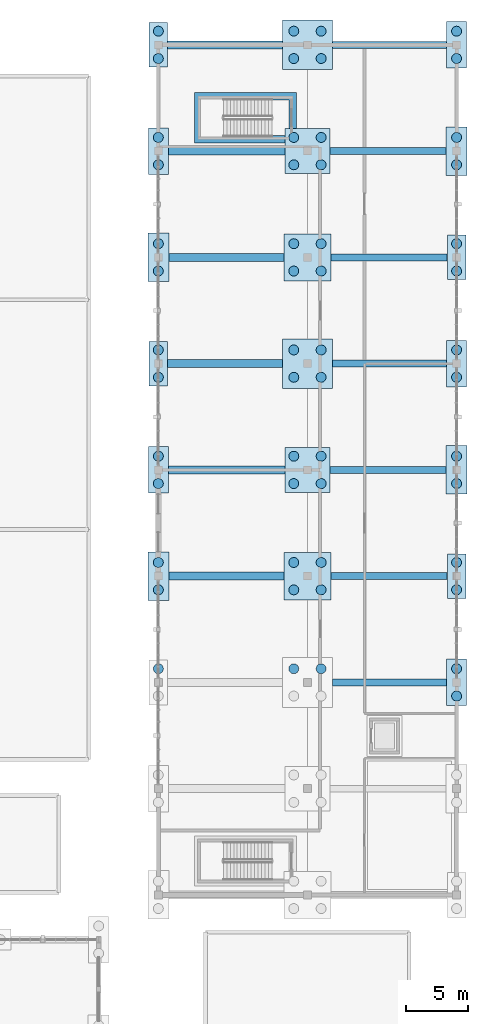
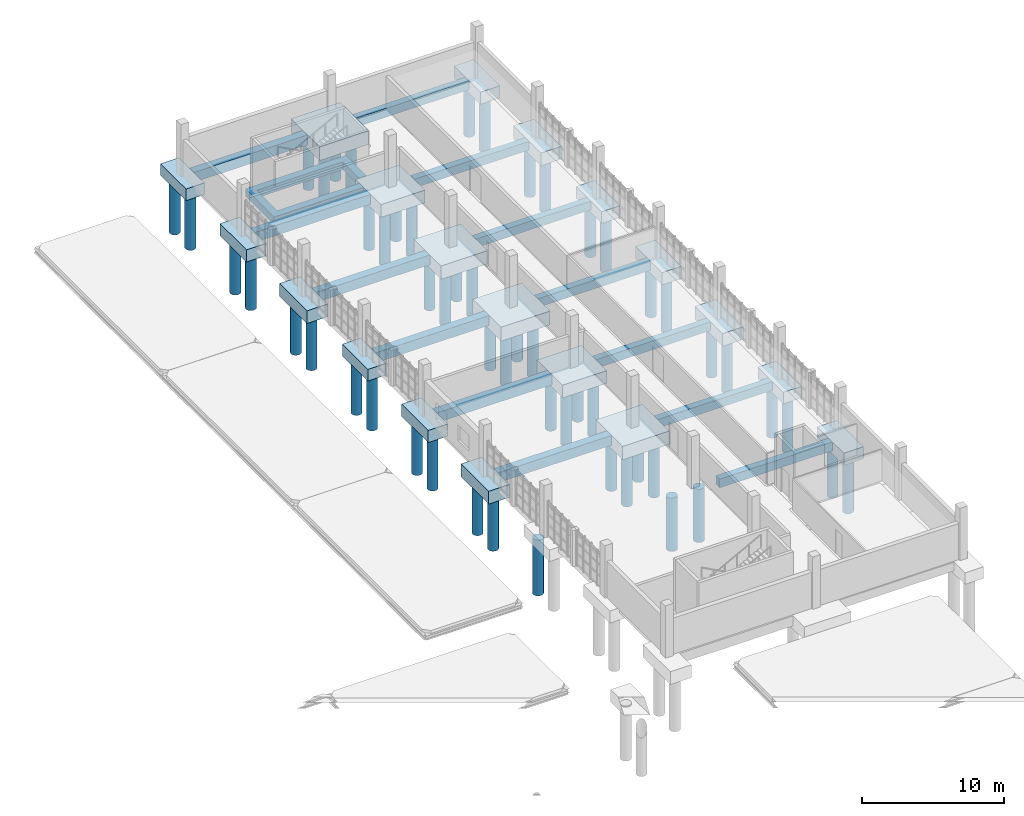
# One storey, part 2 of 125: 53 piles, 33 footings.
"""IFC4 building model written with IfcOpenShell, lengths in metres."""

import ifcopenshell
import ifcopenshell.guid

model = None  # the IFC model being written
_history = None  # IfcOwnerHistory: only IFC2X3 demands one
_inside = {}  # id of a spatial element -> (the spatial element, [elements in it])
_under = {}  # id of a project, library or spatial element -> (it, [spatial elements below it])
_declared = {}  # id of a project -> (the project, [libraries it declares])
_typed = {}  # id of a type object -> (the type object, [elements of that type])
_made_of = {}  # id of a material, layer set ... -> (it, [elements and type objects made of it])


def new_model(schema):
    """Start an empty IFC model of exactly this schema.

    Asked for "IFC4X3", IfcOpenShell would pick the latest addendum, in which some entities
    have other attributes; the version numbers below select the first issue.
    IFC2X3 requires an IfcOwnerHistory on every rooted entity: one is made here for all.
    """
    global model, _history
    if schema == "IFC4X3":
        model = ifcopenshell.file(schema_version=(4, 3, 0, 0))
    else:
        model = ifcopenshell.file(schema=schema)
    _inside.clear()
    _under.clear()
    _declared.clear()
    _typed.clear()
    _made_of.clear()
    _history = None
    if model.schema == "IFC2X3":
        org = make("IfcOrganization", Name="unknown")
        user = make(
            "IfcPersonAndOrganization",
            ThePerson=make("IfcPerson", FamilyName="unknown"),
            TheOrganization=org,
        )
        app = make(
            "IfcApplication",
            ApplicationDeveloper=org,
            Version="unknown",
            ApplicationFullName="unknown",
            ApplicationIdentifier="unknown",
        )
        _history = make(
            "IfcOwnerHistory",
            OwningUser=user,
            OwningApplication=app,
            ChangeAction="ADDED",
            CreationDate=0,
        )
    return model


def make(cls, **values):
    """One entity of the class cls with the attributes given. An attribute that is None is left unset."""
    return model.create_entity(
        cls, **{name: value for name, value in values.items() if value is not None}
    )


def rooted(cls, **values):
    """An entity with a GlobalId (a new one), such as an element, a storey or a relation."""
    return make(cls, GlobalId=ifcopenshell.guid.new(), OwnerHistory=_history, **values)


def si_unit(unit_type, name, prefix=None):
    """IfcSIUnit, for example si_unit("LENGTHUNIT", "METRE", prefix="MILLI")."""
    return make("IfcSIUnit", UnitType=unit_type, Prefix=prefix, Name=name)


def assignment(units):
    """IfcUnitAssignment: the units of a project."""
    return None if units is None else make("IfcUnitAssignment", Units=units)


def point(xyz):
    """IfcCartesianPoint."""
    return None if xyz is None else make("IfcCartesianPoint", Coordinates=xyz)


def direction(xyz):
    """IfcDirection."""
    return None if xyz is None else make("IfcDirection", DirectionRatios=xyz)


def frame(location, z_axis=None, x_axis=None):
    """IfcAxis2Placement3D, a coordinate frame: its origin and axes. An axis left out is left unset."""
    return make(
        "IfcAxis2Placement3D",
        Location=point(location),
        Axis=direction(z_axis),
        RefDirection=direction(x_axis),
    )


def frame_2d(location, x_axis=None):
    """IfcAxis2Placement2D, a coordinate frame in the plane: its origin and x axis."""
    return make(
        "IfcAxis2Placement2D", Location=point(location), RefDirection=direction(x_axis)
    )


def origin():
    """The frame at (0, 0, 0) with its axes left unset."""
    return frame((0.0, 0.0, 0.0))


def origin_2d():
    """The frame at (0, 0) in the plane with its x axis left unset."""
    return frame_2d((0.0, 0.0))


def place(relative_to, where):
    """IfcLocalPlacement: puts the frame where relative to a parent placement (None: the world)."""
    return make(
        "IfcLocalPlacement", PlacementRelTo=relative_to, RelativePlacement=where
    )


def context(
    kind, dimensions, precision=None, world=None, true_north=None, identifier=None
):
    """IfcGeometricRepresentationContext, for example the 3D "Model" context."""
    return make(
        "IfcGeometricRepresentationContext",
        ContextIdentifier=identifier,
        ContextType=kind,
        CoordinateSpaceDimension=dimensions,
        Precision=precision,
        WorldCoordinateSystem=world,
        TrueNorth=true_north,
    )


def subcontext(parent, identifier, kind, view, scale=None):
    """IfcGeometricRepresentationSubContext, for example "Body" below "Model"."""
    return make(
        "IfcGeometricRepresentationSubContext",
        ContextIdentifier=identifier,
        ContextType=kind,
        ParentContext=parent,
        TargetScale=scale,
        TargetView=view,
    )


def project(units=None, contexts=None):
    """IfcProject with its units and contexts."""
    return rooted(
        "IfcProject",
        Name="project",
        RepresentationContexts=contexts,
        UnitsInContext=assignment(units),
    )


def spatial(cls, under=None, at=None, **own):
    """A site, building, storey or space (cls), placed at a placement, below another one or the project."""
    s = rooted(cls, ObjectPlacement=at, **own)
    if under is not None:
        _under.setdefault(under.id(), (under, []))[1].append(s)
    return s


def polyline(points):
    """IfcPolyline through the points."""
    return make("IfcPolyline", Points=[point(p) for p in points])


def profile(cls, at=None, kind="AREA", **sizes):
    """A parametric profile (cls). Its sizes go by their IFC names, for example OverallWidth=200.0."""
    return make(cls, ProfileType=kind, Position=at, **sizes)


def rectangle(**sizes):
    """IfcRectangleProfileDef."""
    return profile("IfcRectangleProfileDef", **sizes)


def circle(**sizes):
    """IfcCircleProfileDef."""
    return profile("IfcCircleProfileDef", **sizes)


def outline(outer, holes=None, kind="AREA"):
    """IfcArbitraryClosedProfileDef: a profile drawn as a closed curve; with holes, ...WithVoids."""
    if holes is None:
        return make("IfcArbitraryClosedProfileDef", ProfileType=kind, OuterCurve=outer)
    return make(
        "IfcArbitraryProfileDefWithVoids",
        ProfileType=kind,
        OuterCurve=outer,
        InnerCurves=holes,
    )


def extrude(swept, where, along, depth):
    """IfcExtrudedAreaSolid: the profile swept, set in the frame where, extruded along a direction by depth."""
    return make(
        "IfcExtrudedAreaSolid",
        SweptArea=swept,
        Position=where,
        ExtrudedDirection=direction(along),
        Depth=depth,
    )


def shape(context_of_items, identifier, shape_type, items):
    """IfcShapeRepresentation: the items that make up one representation, for example the "Body"."""
    return make(
        "IfcShapeRepresentation",
        ContextOfItems=context_of_items,
        RepresentationIdentifier=identifier,
        RepresentationType=shape_type,
        Items=items,
    )


def material(Name=None, Category=None):
    """IfcMaterial."""
    return make("IfcMaterial", Name=Name, Category=Category)


def material_profile(
    of_material, cross_section, Name=None, Category=None, Priority=None
):
    """IfcMaterialProfile: a cross section and its material."""
    return make(
        "IfcMaterialProfile",
        Name=Name,
        Material=of_material,
        Profile=cross_section,
        Priority=Priority,
        Category=Category,
    )


def profile_set(profiles, Name=None, composite=None):
    """IfcMaterialProfileSet."""
    return make(
        "IfcMaterialProfileSet",
        Name=Name,
        MaterialProfiles=profiles,
        CompositeProfile=composite,
    )


def made_of(thing, what):
    """Note that an element or type object is made of a material, layer set ...; save() writes the relation."""
    if what is not None:
        _made_of.setdefault(what.id(), (what, []))[1].append(thing)
    return thing


def type_object(cls, material=None, **own):
    """A type object (cls), such as IfcWallType, which elements share."""
    return made_of(rooted(cls, **own), material)


def element(
    cls,
    number,
    at=None,
    inside=None,
    cuts=None,
    type_object=None,
    material=None,
    context=None,
    identifier="Body",
    shape_type=None,
    held_by="IfcProductDefinitionShape",
    body=None,
    shapes=None,
    **own,
):
    """One element of the class cls, such as IfcWall. Its Tag is "e" and its number.

    at: its placement. inside: the storey or other place that contains it. cuts: it is an
    opening in that element (IfcRelVoidsElement). A single representation is given by context,
    identifier, shape_type and body (its items); several are given by shapes. held_by: the class
    of the entity that holds the representations. save() writes the other relations.
    """
    e = rooted(cls, Tag="e%d" % number, ObjectPlacement=at, **own)
    if body is not None:
        shapes = [shape(context, identifier, shape_type, body)]
    if shapes is not None:
        e.Representation = make(held_by, Representations=shapes)
    if inside is not None:
        _inside.setdefault(inside.id(), (inside, []))[1].append(e)
    if cuts is not None:
        rooted(
            "IfcRelVoidsElement", RelatingBuildingElement=cuts, RelatedOpeningElement=e
        )
    if type_object is not None:
        _typed.setdefault(type_object.id(), (type_object, []))[1].append(e)
    return made_of(e, material)


def aggregate(whole, parts):
    """IfcRelAggregates: a whole, such as a stair, and the parts it consists of."""
    return rooted("IfcRelAggregates", RelatingObject=whole, RelatedObjects=parts)


def save(model, path):
    """Write the relations noted so far, then the file.

    IfcRelAggregates (storeys below a building ...), IfcRelContainedInSpatialStructure (elements
    in a storey), IfcRelDefinesByType, IfcRelAssociatesMaterial and IfcRelDeclares: one each for
    every whole, place, type object, material and project.
    """
    for whole, parts in _under.values():
        aggregate(whole, parts)
    for where, things in _inside.values():
        rooted(
            "IfcRelContainedInSpatialStructure",
            RelatedElements=things,
            RelatingStructure=where,
        )
    for kind, things in _typed.values():
        rooted("IfcRelDefinesByType", RelatedObjects=things, RelatingType=kind)
    for what, things in _made_of.values():
        rooted("IfcRelAssociatesMaterial", RelatedObjects=things, RelatingMaterial=what)
    for by, libraries in _declared.values():
        rooted("IfcRelDeclares", RelatingContext=by, RelatedDefinitions=libraries)
    model.write(path)


model = new_model("IFC4")

# Units and contexts
model_context = context("Model", 3, precision=1e-05, world=origin(), true_north=direction((0.0, 1.0)))
body_context = subcontext(model_context, "Body", "Model", "MODEL_VIEW")
ifc_project = project(units=[si_unit("LENGTHUNIT", "METRE"), si_unit("AREAUNIT", "SQUARE_METRE"), si_unit("VOLUMEUNIT", "CUBIC_METRE"), si_unit("PLANEANGLEUNIT", "RADIAN"), si_unit("MASSUNIT", "GRAM", prefix="KILO")], contexts=[model_context])

# Site, building, storey
site_placement = place(None, origin())
site = spatial("IfcSite", under=ifc_project, at=site_placement, CompositionType="ELEMENT")
building_placement = place(site_placement, origin())
building = spatial("IfcBuilding", under=site, at=building_placement, Name="Serraforn Aerial Cableway Station", CompositionType="ELEMENT")
storey_placement = place(building_placement, frame((0.0, 0.0, 4.5)))
storey = spatial("IfcBuildingStorey", under=building, at=storey_placement, Name="L01", CompositionType="ELEMENT", Elevation=4.5)

# Footings
ifc_material = material(Name="Concrete C35/45", Category="concrete")
footing_type_1 = type_object("IfcFootingType", Name="FT-FB-550x750", PredefinedType="FOOTING_BEAM", material=ifc_material)
footing_1_placement = place(storey_placement, frame((0.0, 0.0, -0.75)))
element("IfcFooting", 1, at=footing_1_placement, inside=storey, type_object=footing_type_1, Name="Footing Tie Beam EG Y=62.7 #2", PredefinedType="FOOTING_BEAM", context=body_context, shape_type="SweptSolid", body=[
    extrude(outline(polyline([(167.195068359375, 62.97509765625), (167.195068359375, 62.425048828125), (158.0048828125, 62.425048828125), (158.0048828125, 62.97509765625), (167.195068359375, 62.97509765625)])), origin(), (0.0, 0.0, 1.0), 0.75),
])
footing_2_placement = place(storey_placement, frame((0.0, 0.0, -0.75)))
element("IfcFooting", 2, at=footing_2_placement, inside=storey, type_object=footing_type_1, Name="Footing Tie Beam EG Y=71.2 #2", PredefinedType="FOOTING_BEAM", context=body_context, shape_type="SweptSolid", body=[
    extrude(outline(polyline([(167.2451171875, 71.52490234375), (167.2451171875, 70.97509765625), (157.905029296875, 70.97509765625), (157.905029296875, 71.52490234375), (167.2451171875, 71.52490234375)])), origin(), (0.0, 0.0, 1.0), 0.75),
])
footing_3_placement = place(storey_placement, frame((0.0, 0.0, -0.75)))
element("IfcFooting", 3, at=footing_3_placement, inside=storey, type_object=footing_type_1, Name="Footing Tie Beam EG Y=79.8 #2", PredefinedType="FOOTING_BEAM", context=body_context, shape_type="SweptSolid", body=[
    extrude(outline(polyline([(167.14501953125, 80.074951171875), (167.14501953125, 79.52490234375), (157.804931640625, 79.52490234375), (157.804931640625, 80.074951171875), (167.14501953125, 80.074951171875)])), origin(), (0.0, 0.0, 1.0), 0.75),
])
footing_4_placement = place(storey_placement, frame((0.0, 0.0, -0.75)))
element("IfcFooting", 4, at=footing_4_placement, inside=storey, type_object=footing_type_1, Name="Footing Tie Beam EG Y=88.3 #2", PredefinedType="FOOTING_BEAM", context=body_context, shape_type="SweptSolid", body=[
    extrude(outline(polyline([(167.195068359375, 88.625), (167.195068359375, 88.074951171875), (158.0048828125, 88.074951171875), (158.0048828125, 88.625), (167.195068359375, 88.625)])), origin(), (0.0, 0.0, 1.0), 0.75),
])
footing_5_placement = place(storey_placement, frame((0.0, 0.0, -0.75)))
element("IfcFooting", 5, at=footing_5_placement, inside=storey, type_object=footing_type_1, Name="Footing Tie Beam EG Y=96.9 #2", PredefinedType="FOOTING_BEAM", context=body_context, shape_type="SweptSolid", body=[
    extrude(outline(polyline([(167.2451171875, 97.175048828125), (167.2451171875, 96.625), (157.905029296875, 96.625), (157.905029296875, 97.175048828125), (167.2451171875, 97.175048828125)])), origin(), (0.0, 0.0, 1.0), 0.75),
])
footing_6_placement = place(storey_placement, frame((0.0, 0.0, -0.75)))
element("IfcFooting", 6, at=footing_6_placement, inside=storey, type_object=footing_type_1, Name="Footing Tie Beam EG Y=105.5 #2", PredefinedType="FOOTING_BEAM", context=body_context, shape_type="SweptSolid", body=[
    extrude(outline(polyline([(167.14501953125, 105.72509765625), (167.14501953125, 105.175048828125), (157.804931640625, 105.175048828125), (157.804931640625, 105.72509765625), (167.14501953125, 105.72509765625)])), origin(), (0.0, 0.0, 1.0), 0.75),
])
footing_7_placement = place(storey_placement, frame((0.0, 0.0, -0.75)))
element("IfcFooting", 7, at=footing_7_placement, inside=storey, type_object=footing_type_1, Name="Footing Tie Beam EG Y=114.0 #2", PredefinedType="FOOTING_BEAM", context=body_context, shape_type="SweptSolid", body=[
    extrude(outline(polyline([(167.195068359375, 114.27490234375), (167.195068359375, 113.72509765625), (158.0048828125, 113.72509765625), (158.0048828125, 114.27490234375), (167.195068359375, 114.27490234375)])), origin(), (0.0, 0.0, 1.0), 0.75),
])
footing_type_2 = type_object("IfcFootingType", Name="FT-FB-650x850", PredefinedType="FOOTING_BEAM", material=ifc_material)
footing_8_placement = place(storey_placement, frame((0.0, 0.0, -0.85009765625)))
element("IfcFooting", 8, at=footing_8_placement, inside=storey, type_object=footing_type_2, Name="Footing Tie Beam EG Y=71.2 #1", PredefinedType="FOOTING_BEAM", context=body_context, shape_type="SweptSolid", body=[
    extrude(outline(polyline([(154.094970703125, 71.574951171875), (154.094970703125, 70.925048828125), (144.85498046875, 70.925048828125), (144.85498046875, 71.574951171875), (154.094970703125, 71.574951171875)])), origin(), (0.0, 0.0, 1.0), 0.85009765625),
])
footing_9_placement = place(storey_placement, frame((0.0, 0.0, -0.85009765625)))
element("IfcFooting", 9, at=footing_9_placement, inside=storey, type_object=footing_type_2, Name="Footing Tie Beam EG Y=79.8 #1", PredefinedType="FOOTING_BEAM", context=body_context, shape_type="SweptSolid", body=[
    extrude(outline(polyline([(154.195068359375, 80.125), (154.195068359375, 79.47509765625), (144.804931640625, 79.47509765625), (144.804931640625, 80.125), (154.195068359375, 80.125)])), origin(), (0.0, 0.0, 1.0), 0.85009765625),
])
footing_10_placement = place(storey_placement, frame((0.0, 0.0, -0.85009765625)))
element("IfcFooting", 10, at=footing_10_placement, inside=storey, type_object=footing_type_2, Name="Footing Tie Beam EG Y=88.3 #1", PredefinedType="FOOTING_BEAM", context=body_context, shape_type="SweptSolid", body=[
    extrude(outline(polyline([(153.9951171875, 88.675048828125), (153.9951171875, 88.02490234375), (144.7548828125, 88.02490234375), (144.7548828125, 88.675048828125), (153.9951171875, 88.675048828125)])), origin(), (0.0, 0.0, 1.0), 0.85009765625),
])
footing_11_placement = place(storey_placement, frame((0.0, 0.0, -0.85009765625)))
element("IfcFooting", 11, at=footing_11_placement, inside=storey, type_object=footing_type_2, Name="Footing Tie Beam EG Y=96.9 #1", PredefinedType="FOOTING_BEAM", context=body_context, shape_type="SweptSolid", body=[
    extrude(outline(polyline([(154.094970703125, 97.22509765625), (154.094970703125, 96.574951171875), (144.85498046875, 96.574951171875), (144.85498046875, 97.22509765625), (154.094970703125, 97.22509765625)])), origin(), (0.0, 0.0, 1.0), 0.85009765625),
])
footing_12_placement = place(storey_placement, frame((0.0, 0.0, -0.85009765625)))
element("IfcFooting", 12, at=footing_12_placement, inside=storey, type_object=footing_type_2, Name="Footing Tie Beam EG Y=105.5 #1", PredefinedType="FOOTING_BEAM", context=body_context, shape_type="SweptSolid", body=[
    extrude(outline(polyline([(154.195068359375, 105.77490234375), (154.195068359375, 105.125), (144.804931640625, 105.125), (144.804931640625, 105.77490234375), (154.195068359375, 105.77490234375)])), origin(), (0.0, 0.0, 1.0), 0.85009765625),
])
footing_13_placement = place(storey_placement, frame((0.0, 0.0, -0.85009765625)))
element("IfcFooting", 13, at=footing_13_placement, inside=storey, type_object=footing_type_2, Name="Footing Tie Beam EG Y=114.0 #1", PredefinedType="FOOTING_BEAM", context=body_context, shape_type="SweptSolid", body=[
    extrude(outline(polyline([(153.9951171875, 114.324951171875), (153.9951171875, 113.675048828125), (144.7548828125, 113.675048828125), (144.7548828125, 114.324951171875), (153.9951171875, 114.324951171875)])), origin(), (0.0, 0.0, 1.0), 0.85009765625),
])
footing_type_3 = type_object("IfcFootingType", Name="FT-PC2-150x360", PredefinedType="PILE_CAP", material=ifc_material)
for number, where, z_axis, x_axis, name in (
    (14, (144.0, 88.35009765625, -1.0), (0.0, 0.0, 1.0), (1.0, 0.0, 0.0), "Pile Cap EG-19-L"),
    (15, (144.0, 114.0, -1.0), (0.0, 0.0, 1.0), (1.0, 0.0, 0.0), "Pile Cap EG-19-P"),
    (16, (168.0, 71.25, -1.0), (0.0, 0.0, 1.0), (1.0, 0.0, 0.0), "Pile Cap EG-22-J"),
    (17, (168.0, 96.89990234375, -1.0), (0.0, 0.0, 1.0), (1.0, 0.0, 0.0), "Pile Cap EG-22-M"),
):
    element("IfcFooting", number, at=place(storey_placement, frame(where, z_axis=z_axis, x_axis=x_axis)), inside=storey, type_object=footing_type_3, Name=name, PredefinedType="PILE_CAP", context=body_context, shape_type="SweptSolid", body=[
        extrude(rectangle(XDim=1.5, YDim=3.60009765625, at=origin_2d()), origin(), (0.0, 0.0, 1.0), 1.0),
    ])
footing_type_4 = type_object("IfcFootingType", Name="FT-PC2-160x375", PredefinedType="PILE_CAP", material=ifc_material)
for number, where, z_axis, x_axis, name in (
    (18, (144.0, 79.800048828125, -1.0498046875), (0.0, 0.0, 1.0), (1.0, 0.0, 0.0), "Pile Cap EG-19-K"),
    (19, (144.0, 105.449951171875, -1.0498046875), (0.0, 0.0, 1.0), (1.0, 0.0, 0.0), "Pile Cap EG-19-N"),
    (20, (168.0, 62.699951171875, -1.0498046875), (0.0, 0.0, 1.0), (1.0, 0.0, 0.0), "Pile Cap EG-22-H"),
    (21, (168.0, 88.35009765625, -1.0498046875), (0.0, 0.0, 1.0), (1.0, 0.0, 0.0), "Pile Cap EG-22-L"),
    (22, (168.0, 114.0, -1.0498046875), (0.0, 0.0, 1.0), (1.0, 0.0, 0.0), "Pile Cap EG-22-P"),
):
    element("IfcFooting", number, at=place(storey_placement, frame(where, z_axis=z_axis, x_axis=x_axis)), inside=storey, type_object=footing_type_4, Name=name, PredefinedType="PILE_CAP", context=body_context, shape_type="SweptSolid", body=[
        extrude(rectangle(XDim=1.60009765625, YDim=3.75, at=origin_2d()), origin(), (0.0, 0.0, 1.0), 1.050048828125),
    ])
footing_type_5 = type_object("IfcFootingType", Name="FT-PC2-170x390", PredefinedType="PILE_CAP", material=ifc_material)
for number, where, z_axis, x_axis, name in (
    (23, (144.0, 71.25, -1.10009765625), (0.0, 0.0, 1.0), (1.0, 0.0, 0.0), "Pile Cap EG-19-J"),
    (24, (144.0, 96.89990234375, -1.10009765625), (0.0, 0.0, 1.0), (1.0, 0.0, 0.0), "Pile Cap EG-19-M"),
    (25, (168.0, 79.800048828125, -1.10009765625), (0.0, 0.0, 1.0), (1.0, 0.0, 0.0), "Pile Cap EG-22-K"),
    (26, (168.0, 105.449951171875, -1.10009765625), (0.0, 0.0, 1.0), (1.0, 0.0, 0.0), "Pile Cap EG-22-N"),
):
    element("IfcFooting", number, at=place(storey_placement, frame(where, z_axis=z_axis, x_axis=x_axis)), inside=storey, type_object=footing_type_5, Name=name, PredefinedType="PILE_CAP", context=body_context, shape_type="SweptSolid", body=[
        extrude(rectangle(XDim=1.699951171875, YDim=3.89990234375, at=origin_2d()), origin(), (0.0, 0.0, 1.0), 1.10009765625),
    ])
footing_type_6 = type_object("IfcFootingType", Name="FT-PC4-360", PredefinedType="PILE_CAP", material=ifc_material)
for number, where, z_axis, x_axis, name in (
    (27, (156.0, 79.800048828125, -1.10009765625), (0.0, 0.0, 1.0), (1.0, 0.0, 0.0), "Pile Cap EG-20B-K"),
    (28, (156.0, 105.449951171875, -1.10009765625), (0.0, 0.0, 1.0), (1.0, 0.0, 0.0), "Pile Cap EG-20B-N"),
):
    element("IfcFooting", number, at=place(storey_placement, frame(where, z_axis=z_axis, x_axis=x_axis)), inside=storey, type_object=footing_type_6, Name=name, PredefinedType="PILE_CAP", context=body_context, shape_type="SweptSolid", body=[
        extrude(rectangle(XDim=3.60009765625, YDim=3.60009765625, at=origin_2d()), origin(), (0.0, 0.0, 1.0), 1.10009765625),
    ])
footing_type_7 = type_object("IfcFootingType", Name="FT-PC4-380", PredefinedType="PILE_CAP", material=ifc_material)
for number, where, z_axis, x_axis, name in (
    (29, (156.0, 71.25, -1.14990234375), (0.0, 0.0, 1.0), (1.0, 0.0, 0.0), "Pile Cap EG-20B-J"),
    (30, (156.0, 96.89990234375, -1.14990234375), (0.0, 0.0, 1.0), (1.0, 0.0, 0.0), "Pile Cap EG-20B-M"),
):
    element("IfcFooting", number, at=place(storey_placement, frame(where, z_axis=z_axis, x_axis=x_axis)), inside=storey, type_object=footing_type_7, Name=name, PredefinedType="PILE_CAP", context=body_context, shape_type="SweptSolid", body=[
        extrude(rectangle(XDim=3.800048828125, YDim=3.800048828125, at=origin_2d()), origin(), (0.0, 0.0, 1.0), 1.14990234375),
    ])
footing_type_8 = type_object("IfcFootingType", Name="FT-PC4-400", PredefinedType="PILE_CAP", material=ifc_material)
for number, where, z_axis, x_axis, name in (
    (31, (156.0, 88.35009765625, -1.2001953125), (0.0, 0.0, 1.0), (1.0, 0.0, 0.0), "Pile Cap EG-20B-L"),
    (32, (156.0, 114.0, -1.2001953125), (0.0, 0.0, 1.0), (1.0, 0.0, 0.0), "Pile Cap EG-20B-P"),
):
    element("IfcFooting", number, at=place(storey_placement, frame(where, z_axis=z_axis, x_axis=x_axis)), inside=storey, type_object=footing_type_8, Name=name, PredefinedType="PILE_CAP", context=body_context, shape_type="SweptSolid", body=[
        extrude(rectangle(XDim=4.0, YDim=4.0, at=origin_2d()), origin(), (0.0, 0.0, 1.0), 1.199951171875),
    ])
footing_type_9 = type_object("IfcFootingType", Name="FT-SF-900x650", PredefinedType="STRIP_FOOTING", material=ifc_material)
footing_14_placement = place(storey_placement, frame((0.0, 0.0, -0.64990234375)))
element("IfcFooting", 33, at=footing_14_placement, inside=storey, type_object=footing_type_9, Name="Stair Core Strip Footing ST-11", PredefinedType="STRIP_FOOTING", context=body_context, shape_type="SweptSolid", body=[
    extrude(outline(polyline([(146.89990234375, 106.10009765625), (146.89990234375, 110.159912109375), (155.10009765625, 110.159912109375), (155.10009765625, 107.2548828125), (154.5, 107.2548828125), (154.5, 109.56005859375), (147.5, 109.56005859375), (147.5, 106.699951171875), (154.195068359375, 106.699951171875), (154.195068359375, 106.10009765625), (146.89990234375, 106.10009765625)])), origin(), (0.0, 0.0, 1.0), 0.64990234375),
])

# Piles
ifc_material_profile_1 = material_profile(ifc_material, circle(Radius=0.39990234375, at=origin_2d()), Name="BORED PILE D800")
ifc_profile_set_1 = profile_set([ifc_material_profile_1], Name="Concrete C35/45")
pile_type_1 = type_object("IfcPileType", Name="PL-BORED-800A", PredefinedType="BORED", material=ifc_profile_set_1)
for number, where, z_axis, x_axis, name in (
    (34, (144.0, 78.699951171875, -0.949951171875), (0.0, 0.0, -1.0), (1.0, 0.0, 0.0), "Bored Pile EG-19-K-1"),
    (35, (144.0, 80.89990234375, -0.949951171875), (0.0, 0.0, -1.0), (1.0, 0.0, 0.0), "Bored Pile EG-19-K-2"),
):
    element("IfcPile", number, at=place(storey_placement, frame(where, z_axis=z_axis, x_axis=x_axis)), inside=storey, type_object=pile_type_1, Name=name, PredefinedType="BORED", context=body_context, shape_type="SweptSolid", body=[
        extrude(circle(Radius=0.39990234375, at=origin_2d()), origin(), (0.0, 0.0, 1.0), 4.75),
    ])
for number, where, z_axis, x_axis, name in (
    (36, (144.0, 112.89990234375, -0.89990234375), (0.0, 0.0, -1.0), (1.0, 0.0, 0.0), "Bored Pile EG-19-P-1"),
    (37, (144.0, 115.10009765625, -0.89990234375), (0.0, 0.0, -1.0), (1.0, 0.0, 0.0), "Bored Pile EG-19-P-2"),
):
    element("IfcPile", number, at=place(storey_placement, frame(where, z_axis=z_axis, x_axis=x_axis)), inside=storey, type_object=pile_type_1, Name=name, PredefinedType="BORED", context=body_context, shape_type="SweptSolid", body=[
        extrude(circle(Radius=0.39990234375, at=origin_2d()), origin(), (0.0, 0.0, 1.0), 4.800048828125),
    ])
for number, where, z_axis, x_axis, name in (
    (38, (154.89990234375, 63.800048828125, -1.10009765625), (0.0, 0.0, -1.0), (1.0, 0.0, 0.0), "Bored Pile EG-20B-H-3"),
    (39, (157.10009765625, 63.800048828125, -1.10009765625), (0.0, 0.0, -1.0), (1.0, 0.0, 0.0), "Bored Pile EG-20B-H-4"),
):
    element("IfcPile", number, at=place(storey_placement, frame(where, z_axis=z_axis, x_axis=x_axis)), inside=storey, type_object=pile_type_1, Name=name, PredefinedType="BORED", context=body_context, shape_type="SweptSolid", body=[
        extrude(circle(Radius=0.39990234375, at=origin_2d()), origin(), (0.0, 0.0, 1.0), 4.60009765625),
    ])
for number, where, z_axis, x_axis, name in (
    (40, (154.89990234375, 95.800048828125, -1.050048828125), (0.0, 0.0, -1.0), (1.0, 0.0, 0.0), "Bored Pile EG-20B-M-1"),
    (41, (157.10009765625, 95.800048828125, -1.050048828125), (0.0, 0.0, -1.0), (1.0, 0.0, 0.0), "Bored Pile EG-20B-M-2"),
    (42, (154.89990234375, 98.0, -1.050048828125), (0.0, 0.0, -1.0), (1.0, 0.0, 0.0), "Bored Pile EG-20B-M-3"),
    (43, (157.10009765625, 98.0, -1.050048828125), (0.0, 0.0, -1.0), (1.0, 0.0, 0.0), "Bored Pile EG-20B-M-4"),
):
    element("IfcPile", number, at=place(storey_placement, frame(where, z_axis=z_axis, x_axis=x_axis)), inside=storey, type_object=pile_type_1, Name=name, PredefinedType="BORED", context=body_context, shape_type="SweptSolid", body=[
        extrude(circle(Radius=0.39990234375, at=origin_2d()), origin(), (0.0, 0.0, 1.0), 4.64990234375),
    ])
for number, where, z_axis, x_axis, name in (
    (44, (168.0, 61.60009765625, -0.949951171875), (0.0, 0.0, -1.0), (1.0, 0.0, 0.0), "Bored Pile EG-22-H-1"),
    (45, (168.0, 63.800048828125, -0.949951171875), (0.0, 0.0, -1.0), (1.0, 0.0, 0.0), "Bored Pile EG-22-H-2"),
):
    element("IfcPile", number, at=place(storey_placement, frame(where, z_axis=z_axis, x_axis=x_axis)), inside=storey, type_object=pile_type_1, Name=name, PredefinedType="BORED", context=body_context, shape_type="SweptSolid", body=[
        extrude(circle(Radius=0.39990234375, at=origin_2d()), origin(), (0.0, 0.0, 1.0), 4.75),
    ])
for number, where, z_axis, x_axis, name in (
    (46, (168.0, 95.800048828125, -0.89990234375), (0.0, 0.0, -1.0), (1.0, 0.0, 0.0), "Bored Pile EG-22-M-1"),
    (47, (168.0, 98.0, -0.89990234375), (0.0, 0.0, -1.0), (1.0, 0.0, 0.0), "Bored Pile EG-22-M-2"),
):
    element("IfcPile", number, at=place(storey_placement, frame(where, z_axis=z_axis, x_axis=x_axis)), inside=storey, type_object=pile_type_1, Name=name, PredefinedType="BORED", context=body_context, shape_type="SweptSolid", body=[
        extrude(circle(Radius=0.39990234375, at=origin_2d()), origin(), (0.0, 0.0, 1.0), 4.800048828125),
    ])
ifc_material_profile_2 = material_profile(ifc_material, circle(Radius=0.39990234375, at=origin_2d()), Name="BORED PILE D800")
ifc_profile_set_2 = profile_set([ifc_material_profile_2], Name="Concrete C35/45")
pile_type_2 = type_object("IfcPileType", Name="PL-BORED-800B", PredefinedType="BORED", material=ifc_profile_set_2)
for number, where, z_axis, x_axis, name in (
    (48, (144.0, 87.25, -0.89990234375), (0.0, 0.0, -1.0), (1.0, 0.0, 0.0), "Bored Pile EG-19-L-1"),
    (49, (144.0, 89.449951171875, -0.89990234375), (0.0, 0.0, -1.0), (1.0, 0.0, 0.0), "Bored Pile EG-19-L-2"),
):
    element("IfcPile", number, at=place(storey_placement, frame(where, z_axis=z_axis, x_axis=x_axis)), inside=storey, type_object=pile_type_2, Name=name, PredefinedType="BORED", context=body_context, shape_type="SweptSolid", body=[
        extrude(circle(Radius=0.39990234375, at=origin_2d()), origin(), (0.0, 0.0, 1.0), 4.800048828125),
    ])
for number, where, z_axis, x_axis, name in (
    (50, (154.89990234375, 70.14990234375, -1.050048828125), (0.0, 0.0, -1.0), (1.0, 0.0, 0.0), "Bored Pile EG-20B-J-1"),
    (51, (157.10009765625, 70.14990234375, -1.050048828125), (0.0, 0.0, -1.0), (1.0, 0.0, 0.0), "Bored Pile EG-20B-J-2"),
    (52, (154.89990234375, 72.35009765625, -1.050048828125), (0.0, 0.0, -1.0), (1.0, 0.0, 0.0), "Bored Pile EG-20B-J-3"),
    (53, (157.10009765625, 72.35009765625, -1.050048828125), (0.0, 0.0, -1.0), (1.0, 0.0, 0.0), "Bored Pile EG-20B-J-4"),
):
    element("IfcPile", number, at=place(storey_placement, frame(where, z_axis=z_axis, x_axis=x_axis)), inside=storey, type_object=pile_type_2, Name=name, PredefinedType="BORED", context=body_context, shape_type="SweptSolid", body=[
        extrude(circle(Radius=0.39990234375, at=origin_2d()), origin(), (0.0, 0.0, 1.0), 4.64990234375),
    ])
for number, where, z_axis, x_axis, name in (
    (54, (154.89990234375, 104.35009765625, -1.0), (0.0, 0.0, -1.0), (1.0, 0.0, 0.0), "Bored Pile EG-20B-N-1"),
    (55, (157.10009765625, 104.35009765625, -1.0), (0.0, 0.0, -1.0), (1.0, 0.0, 0.0), "Bored Pile EG-20B-N-2"),
    (56, (154.89990234375, 106.550048828125, -1.0), (0.0, 0.0, -1.0), (1.0, 0.0, 0.0), "Bored Pile EG-20B-N-3"),
    (57, (157.10009765625, 106.550048828125, -1.0), (0.0, 0.0, -1.0), (1.0, 0.0, 0.0), "Bored Pile EG-20B-N-4"),
):
    element("IfcPile", number, at=place(storey_placement, frame(where, z_axis=z_axis, x_axis=x_axis)), inside=storey, type_object=pile_type_2, Name=name, PredefinedType="BORED", context=body_context, shape_type="SweptSolid", body=[
        extrude(circle(Radius=0.39990234375, at=origin_2d()), origin(), (0.0, 0.0, 1.0), 4.699951171875),
    ])
for number, where, z_axis, x_axis, name in (
    (58, (168.0, 70.14990234375, -0.89990234375), (0.0, 0.0, -1.0), (1.0, 0.0, 0.0), "Bored Pile EG-22-J-1"),
    (59, (168.0, 72.35009765625, -0.89990234375), (0.0, 0.0, -1.0), (1.0, 0.0, 0.0), "Bored Pile EG-22-J-2"),
):
    element("IfcPile", number, at=place(storey_placement, frame(where, z_axis=z_axis, x_axis=x_axis)), inside=storey, type_object=pile_type_2, Name=name, PredefinedType="BORED", context=body_context, shape_type="SweptSolid", body=[
        extrude(circle(Radius=0.39990234375, at=origin_2d()), origin(), (0.0, 0.0, 1.0), 4.800048828125),
    ])
for number, where, z_axis, x_axis, name in (
    (60, (168.0, 104.35009765625, -1.0), (0.0, 0.0, -1.0), (1.0, 0.0, 0.0), "Bored Pile EG-22-N-1"),
    (61, (168.0, 106.550048828125, -1.0), (0.0, 0.0, -1.0), (1.0, 0.0, 0.0), "Bored Pile EG-22-N-2"),
):
    element("IfcPile", number, at=place(storey_placement, frame(where, z_axis=z_axis, x_axis=x_axis)), inside=storey, type_object=pile_type_2, Name=name, PredefinedType="BORED", context=body_context, shape_type="SweptSolid", body=[
        extrude(circle(Radius=0.39990234375, at=origin_2d()), origin(), (0.0, 0.0, 1.0), 4.699951171875),
    ])
ifc_material_profile_3 = material_profile(ifc_material, circle(Radius=0.39990234375, at=origin_2d()), Name="BORED PILE D800")
ifc_profile_set_3 = profile_set([ifc_material_profile_3], Name="Concrete C35/45")
pile_type_3 = type_object("IfcPileType", Name="PL-BORED-800C", PredefinedType="BORED", material=ifc_profile_set_3)
pile_placement = place(storey_placement, frame((144.0, 63.800048828125, -0.89990234375), z_axis=(0.0, 0.0, -1.0), x_axis=(1.0, 0.0, 0.0)))
element("IfcPile", 62, at=pile_placement, inside=storey, type_object=pile_type_3, Name="Bored Pile EG-19-H-2", PredefinedType="BORED", context=body_context, shape_type="SweptSolid", body=[
    extrude(circle(Radius=0.39990234375, at=origin_2d()), origin(), (0.0, 0.0, 1.0), 4.800048828125),
])
for number, where, z_axis, x_axis, name in (
    (63, (144.0, 95.800048828125, -1.0), (0.0, 0.0, -1.0), (1.0, 0.0, 0.0), "Bored Pile EG-19-M-1"),
    (64, (144.0, 98.0, -1.0), (0.0, 0.0, -1.0), (1.0, 0.0, 0.0), "Bored Pile EG-19-M-2"),
    (65, (154.89990234375, 78.699951171875, -1.0), (0.0, 0.0, -1.0), (1.0, 0.0, 0.0), "Bored Pile EG-20B-K-1"),
    (66, (157.10009765625, 78.699951171875, -1.0), (0.0, 0.0, -1.0), (1.0, 0.0, 0.0), "Bored Pile EG-20B-K-2"),
    (67, (154.89990234375, 80.89990234375, -1.0), (0.0, 0.0, -1.0), (1.0, 0.0, 0.0), "Bored Pile EG-20B-K-3"),
    (68, (157.10009765625, 80.89990234375, -1.0), (0.0, 0.0, -1.0), (1.0, 0.0, 0.0), "Bored Pile EG-20B-K-4"),
):
    element("IfcPile", number, at=place(storey_placement, frame(where, z_axis=z_axis, x_axis=x_axis)), inside=storey, type_object=pile_type_3, Name=name, PredefinedType="BORED", context=body_context, shape_type="SweptSolid", body=[
        extrude(circle(Radius=0.39990234375, at=origin_2d()), origin(), (0.0, 0.0, 1.0), 4.699951171875),
    ])
for number, where, z_axis, x_axis, name in (
    (69, (154.89990234375, 112.89990234375, -1.10009765625), (0.0, 0.0, -1.0), (1.0, 0.0, 0.0), "Bored Pile EG-20B-P-1"),
    (70, (157.10009765625, 112.89990234375, -1.10009765625), (0.0, 0.0, -1.0), (1.0, 0.0, 0.0), "Bored Pile EG-20B-P-2"),
    (71, (154.89990234375, 115.10009765625, -1.10009765625), (0.0, 0.0, -1.0), (1.0, 0.0, 0.0), "Bored Pile EG-20B-P-3"),
    (72, (157.10009765625, 115.10009765625, -1.10009765625), (0.0, 0.0, -1.0), (1.0, 0.0, 0.0), "Bored Pile EG-20B-P-4"),
):
    element("IfcPile", number, at=place(storey_placement, frame(where, z_axis=z_axis, x_axis=x_axis)), inside=storey, type_object=pile_type_3, Name=name, PredefinedType="BORED", context=body_context, shape_type="SweptSolid", body=[
        extrude(circle(Radius=0.39990234375, at=origin_2d()), origin(), (0.0, 0.0, 1.0), 4.60009765625),
    ])
for number, where, z_axis, x_axis, name in (
    (73, (168.0, 78.699951171875, -1.0), (0.0, 0.0, -1.0), (1.0, 0.0, 0.0), "Bored Pile EG-22-K-1"),
    (74, (168.0, 80.89990234375, -1.0), (0.0, 0.0, -1.0), (1.0, 0.0, 0.0), "Bored Pile EG-22-K-2"),
):
    element("IfcPile", number, at=place(storey_placement, frame(where, z_axis=z_axis, x_axis=x_axis)), inside=storey, type_object=pile_type_3, Name=name, PredefinedType="BORED", context=body_context, shape_type="SweptSolid", body=[
        extrude(circle(Radius=0.39990234375, at=origin_2d()), origin(), (0.0, 0.0, 1.0), 4.699951171875),
    ])
for number, where, z_axis, x_axis, name in (
    (75, (168.0, 112.89990234375, -0.949951171875), (0.0, 0.0, -1.0), (1.0, 0.0, 0.0), "Bored Pile EG-22-P-1"),
    (76, (168.0, 115.10009765625, -0.949951171875), (0.0, 0.0, -1.0), (1.0, 0.0, 0.0), "Bored Pile EG-22-P-2"),
):
    element("IfcPile", number, at=place(storey_placement, frame(where, z_axis=z_axis, x_axis=x_axis)), inside=storey, type_object=pile_type_3, Name=name, PredefinedType="BORED", context=body_context, shape_type="SweptSolid", body=[
        extrude(circle(Radius=0.39990234375, at=origin_2d()), origin(), (0.0, 0.0, 1.0), 4.75),
    ])
ifc_material_profile_4 = material_profile(ifc_material, circle(Radius=0.39990234375, at=origin_2d()), Name="BORED PILE D800")
ifc_profile_set_4 = profile_set([ifc_material_profile_4], Name="Concrete C35/45")
pile_type_4 = type_object("IfcPileType", Name="PL-BORED-800D", PredefinedType="BORED", material=ifc_profile_set_4)
for number, where, z_axis, x_axis, name in (
    (77, (144.0, 70.14990234375, -1.0), (0.0, 0.0, -1.0), (1.0, 0.0, 0.0), "Bored Pile EG-19-J-1"),
    (78, (144.0, 72.35009765625, -1.0), (0.0, 0.0, -1.0), (1.0, 0.0, 0.0), "Bored Pile EG-19-J-2"),
):
    element("IfcPile", number, at=place(storey_placement, frame(where, z_axis=z_axis, x_axis=x_axis)), inside=storey, type_object=pile_type_4, Name=name, PredefinedType="BORED", context=body_context, shape_type="SweptSolid", body=[
        extrude(circle(Radius=0.39990234375, at=origin_2d()), origin(), (0.0, 0.0, 1.0), 4.699951171875),
    ])
for number, where, z_axis, x_axis, name in (
    (79, (144.0, 104.35009765625, -0.949951171875), (0.0, 0.0, -1.0), (1.0, 0.0, 0.0), "Bored Pile EG-19-N-1"),
    (80, (144.0, 106.550048828125, -0.949951171875), (0.0, 0.0, -1.0), (1.0, 0.0, 0.0), "Bored Pile EG-19-N-2"),
):
    element("IfcPile", number, at=place(storey_placement, frame(where, z_axis=z_axis, x_axis=x_axis)), inside=storey, type_object=pile_type_4, Name=name, PredefinedType="BORED", context=body_context, shape_type="SweptSolid", body=[
        extrude(circle(Radius=0.39990234375, at=origin_2d()), origin(), (0.0, 0.0, 1.0), 4.75),
    ])
for number, where, z_axis, x_axis, name in (
    (81, (154.89990234375, 87.25, -1.10009765625), (0.0, 0.0, -1.0), (1.0, 0.0, 0.0), "Bored Pile EG-20B-L-1"),
    (82, (157.10009765625, 87.25, -1.10009765625), (0.0, 0.0, -1.0), (1.0, 0.0, 0.0), "Bored Pile EG-20B-L-2"),
    (83, (154.89990234375, 89.449951171875, -1.10009765625), (0.0, 0.0, -1.0), (1.0, 0.0, 0.0), "Bored Pile EG-20B-L-3"),
    (84, (157.10009765625, 89.449951171875, -1.10009765625), (0.0, 0.0, -1.0), (1.0, 0.0, 0.0), "Bored Pile EG-20B-L-4"),
):
    element("IfcPile", number, at=place(storey_placement, frame(where, z_axis=z_axis, x_axis=x_axis)), inside=storey, type_object=pile_type_4, Name=name, PredefinedType="BORED", context=body_context, shape_type="SweptSolid", body=[
        extrude(circle(Radius=0.39990234375, at=origin_2d()), origin(), (0.0, 0.0, 1.0), 4.60009765625),
    ])
for number, where, z_axis, x_axis, name in (
    (85, (168.0, 87.25, -0.949951171875), (0.0, 0.0, -1.0), (1.0, 0.0, 0.0), "Bored Pile EG-22-L-1"),
    (86, (168.0, 89.449951171875, -0.949951171875), (0.0, 0.0, -1.0), (1.0, 0.0, 0.0), "Bored Pile EG-22-L-2"),
):
    element("IfcPile", number, at=place(storey_placement, frame(where, z_axis=z_axis, x_axis=x_axis)), inside=storey, type_object=pile_type_4, Name=name, PredefinedType="BORED", context=body_context, shape_type="SweptSolid", body=[
        extrude(circle(Radius=0.39990234375, at=origin_2d()), origin(), (0.0, 0.0, 1.0), 4.75),
    ])

save(model, "model.ifc")
